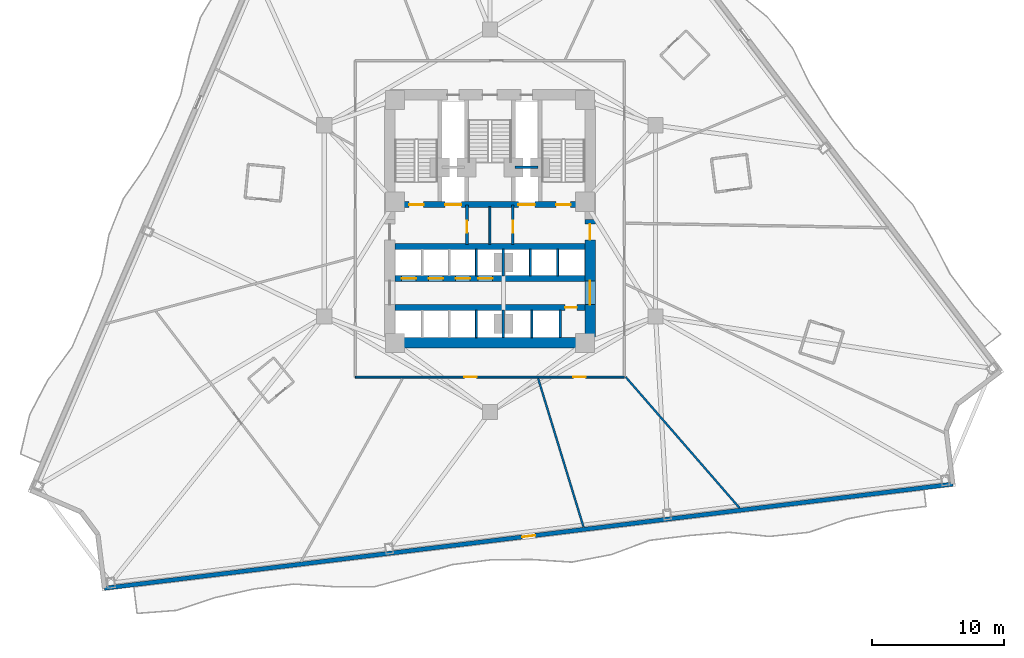
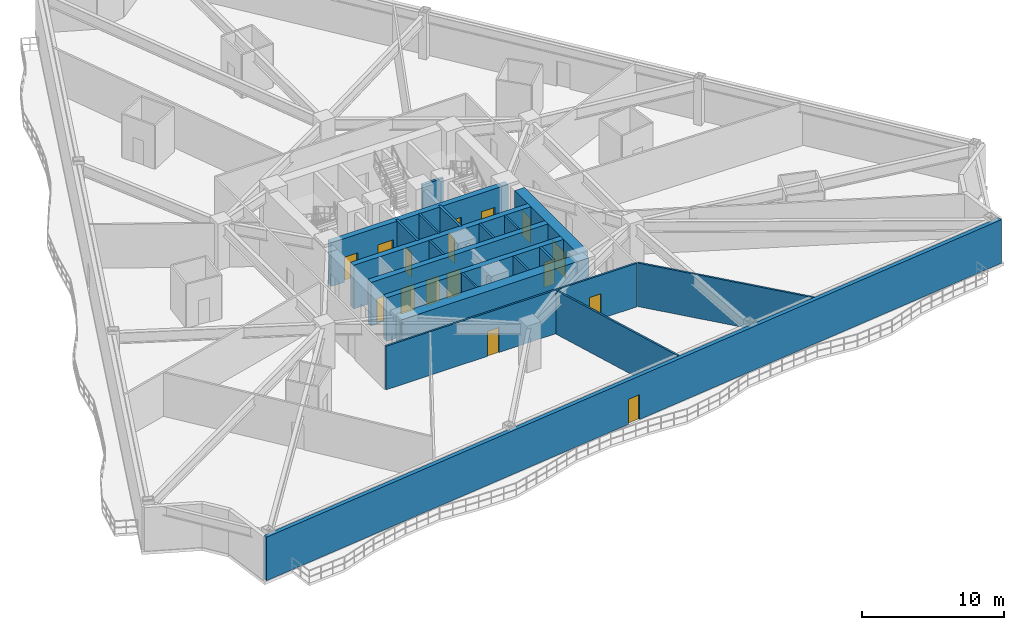
# One storey, part 4 of 13: 22 walls, 16 doors, 16 openings.
"""IFC4 building model written with IfcOpenShell, lengths in metres."""

from ifc_helpers import new_model, si_unit, direction, frame, frame_2d, origin, place, context, subcontext, project, spatial, rectangle, extrude, material, layer, layer_set, type_object, element, fill, save


model = new_model("IFC4")

# Units and contexts
model_context = context("Model", 3, precision=1e-05, world=origin(), true_north=direction((0.0, 1.0)))
body_context = subcontext(model_context, "Body", "Model", "MODEL_VIEW")
ifc_project = project(units=[si_unit("LENGTHUNIT", "METRE"), si_unit("AREAUNIT", "SQUARE_METRE"), si_unit("VOLUMEUNIT", "CUBIC_METRE"), si_unit("PLANEANGLEUNIT", "RADIAN"), si_unit("MASSUNIT", "GRAM", prefix="KILO")], contexts=[model_context])

# Site, building, storey
site_placement = place(None, origin())
site = spatial("IfcSite", under=ifc_project, at=site_placement, CompositionType="ELEMENT")
building_placement = place(site_placement, origin())
building = spatial("IfcBuilding", under=site, at=building_placement, Name="Apsidion Concourse Tower", CompositionType="ELEMENT")
storey_placement = place(building_placement, frame((0.0, 0.0, 67.0)))
storey = spatial("IfcBuildingStorey", under=building, at=storey_placement, Name="L14", CompositionType="ELEMENT", Elevation=67.0)

# Wall, opening, door
ifc_material_1 = material(Name="Precast concrete C40/50", Category="concrete")
ifc_layer_1 = layer(ifc_material_1, 0.320068359375)
ifc_layer_set_1 = layer_set([ifc_layer_1], Name="Precast concrete C40/50")
wall_type_1 = type_object("IfcWallType", Name="WL-EXT-320", PredefinedType="STANDARD", material=ifc_layer_set_1)
wall_1_placement = place(storey_placement, frame((35.0908203125, -19.961181640625, 0.0), z_axis=(0.0, 0.0, 1.0), x_axis=(-0.992546286146, -0.121868247946, 0.0)))
wall_1 = element("IfcWall", 1, at=wall_1_placement, inside=storey, type_object=wall_type_1, Name="L14 Precast Stone Facade Wall 05", PredefinedType="STANDARD", context=body_context, shape_type="SweptSolid", body=[
    extrude(rectangle(XDim=64.793212890625, YDim=0.320068359375, at=frame_2d((32.396484375, 0.0))), origin(), (0.0, 0.0, 1.0), 3.75),
])
opening_1_placement = place(wall_1_placement, frame((31.896728515625, 0.0, 0.0)))
opening_1 = element("IfcOpeningElement", 2, at=opening_1_placement, cuts=wall_1, Name="Opening D-T1R", PredefinedType="OPENING", context=body_context, shape_type="SweptSolid", body=[
    extrude(rectangle(XDim=1.0, YDim=2.14990234375, at=frame_2d((0.5, 1.074951171875))), frame((0.0, 0.169921875, 0.0), z_axis=(0.0, -1.0, 0.0), x_axis=(1.0, 0.0, 0.0)), (0.0, 0.0, 1.0), 0.340087890625),
])
ifc_material_2 = material(Name="Anodised aluminium EN AW-6063 T6", Category="aluminium")
door_type_1 = type_object("IfcDoorType", Name="DR-TER-1022R", OperationType="SINGLE_SWING_RIGHT", PredefinedType="DOOR", material=ifc_material_2)
door_1_placement = place(opening_1_placement, origin())
door_1 = element("IfcDoor", 3, at=door_1_placement, inside=storey, type_object=door_type_1, Name="L14 Balcony Access Door 2", OperationType="SINGLE_SWING_RIGHT", OverallHeight=2.14990234375, OverallWidth=1.0, PredefinedType="DOOR", context=body_context, shape_type="SweptSolid", body=[
    extrude(rectangle(XDim=1.0, YDim=2.14990234375, at=frame_2d((0.5, 1.074951171875))), frame((0.0, 0.02490234375, 0.0), z_axis=(0.0, -1.0, 0.0), x_axis=(1.0, 0.0, 0.0)), (0.0, 0.0, 1.0), 0.050048828125),
])
fill(opening_1, door_1)

# Walls
ifc_material_3 = material(Name="Gypsum plasterboard partition")
ifc_layer_2 = layer(ifc_material_3, 0.14990234375)
ifc_layer_set_2 = layer_set([ifc_layer_2], Name="Gypsum plasterboard partition")
wall_type_2 = type_object("IfcWallType", Name="WL-INT-PAR-150", PredefinedType="PARTITIONING", material=ifc_layer_set_2)
for number, where, z_axis, x_axis, name in (
    (4, (-1.02490234375, -4.179931640625, 0.0), (0.0, 0.0, 1.0), (0.0, 1.0, 0.0), "L14 Interior Partition WL-L14-B1DIV-3"),
    (5, (3.074951171875, -4.179931640625, 0.0), (0.0, 0.0, 1.0), (0.0, 1.0, 0.0), "L14 Interior Partition WL-L14-B3DIV-1"),
    (6, (5.125, -4.179931640625, 0.0), (0.0, 0.0, 1.0), (0.0, 1.0, 0.0), "L14 Interior Partition WL-L14-B3DIV-2"),
):
    element("IfcWall", number, at=place(storey_placement, frame(where, z_axis=z_axis, x_axis=x_axis)), inside=storey, type_object=wall_type_2, Name=name, PredefinedType="PARTITIONING", context=body_context, shape_type="SweptSolid", body=[
        extrude(rectangle(XDim=2.030029296875, YDim=0.14990234375, at=frame_2d((1.01513671875, 0.0))), origin(), (0.0, 0.0, 1.0), 3.75),
    ])
for number, where, z_axis, x_axis, name in (
    (7, (-1.02490234375, -8.85009765625, 0.0), (0.0, 0.0, 1.0), (0.0, 1.0, 0.0), "L14 Interior Partition WL-L14-B2DIV-3"),
    (8, (3.175048828125, -8.85009765625, 0.0), (0.0, 0.0, 1.0), (0.0, 1.0, 0.0), "L14 Interior Partition WL-L14-SHDIV-1"),
):
    element("IfcWall", number, at=place(storey_placement, frame(where, z_axis=z_axis, x_axis=x_axis)), inside=storey, type_object=wall_type_2, Name=name, PredefinedType="PARTITIONING", context=body_context, shape_type="SweptSolid", body=[
        extrude(rectangle(XDim=2.080078125, YDim=0.14990234375, at=frame_2d((1.0400390625, 0.0))), origin(), (0.0, 0.0, 1.0), 3.75),
    ])
wall_2_placement = place(storey_placement, frame((0.0, -1.780029296875, 0.0), z_axis=(0.0, 0.0, 1.0), x_axis=(0.0, 1.0, 0.0)))
element("IfcWall", 9, at=wall_2_placement, inside=storey, type_object=wall_type_2, Name="L14 Interior Partition WL-L14-K3V", PredefinedType="PARTITIONING", context=body_context, shape_type="SweptSolid", body=[
    extrude(rectangle(XDim=2.830078125, YDim=0.14990234375, at=frame_2d((1.4150390625, 0.0))), origin(), (0.0, 0.0, 1.0), 3.75),
])

# Wall, openings, doors
wall_3_placement = place(storey_placement, frame((10.199951171875, -11.85009765625, 0.0), z_axis=(0.0, 0.0, 1.0), x_axis=(-1.0, 0.0, 0.0)))
wall_3 = element("IfcWall", 10, at=wall_3_placement, inside=storey, type_object=wall_type_2, Name="L14 Interior Partition WL-L14-CORR-03", PredefinedType="PARTITIONING", context=body_context, shape_type="SweptSolid", body=[
    extrude(rectangle(XDim=20.39990234375, YDim=0.14990234375, at=frame_2d((10.199951171875, 0.0))), origin(), (0.0, 0.0, 1.0), 3.75),
])
opening_2_placement = place(wall_3_placement, frame((11.210205078125, 0.0, 0.0)))
opening_2 = element("IfcOpeningElement", 11, at=opening_2_placement, cuts=wall_3, Name="Opening D-01R", PredefinedType="OPENING", context=body_context, shape_type="SweptSolid", body=[
    extrude(rectangle(XDim=0.949951171875, YDim=2.14990234375, at=frame_2d((0.47509765625, 1.074951171875))), frame((0.0, 0.0849609375, 0.0), z_axis=(0.0, -1.0, 0.0), x_axis=(1.0, 0.0, 0.0)), (0.0, 0.0, 1.0), 0.169921875),
])
opening_3_placement = place(wall_3_placement, frame((2.927734375, 0.0, 0.0)))
opening_3 = element("IfcOpeningElement", 12, at=opening_3_placement, cuts=wall_3, Name="Opening D-01L", PredefinedType="OPENING", context=body_context, shape_type="SweptSolid", body=[
    extrude(rectangle(XDim=0.949951171875, YDim=2.14990234375, at=frame_2d((0.47509765625, 1.074951171875))), frame((0.0, 0.0849609375, 0.0), z_axis=(0.0, -1.0, 0.0), x_axis=(1.0, 0.0, 0.0)), (0.0, 0.0, 1.0), 0.169921875),
])
ifc_material_4 = material(Name="Brushed stainless steel 316", Category="steel")
door_type_2 = type_object("IfcDoorType", Name="DR-INT-D01L", OperationType="SINGLE_SWING_LEFT", PredefinedType="DOOR", material=ifc_material_4)
door_2_placement = place(opening_3_placement, origin())
door_2 = element("IfcDoor", 13, at=door_2_placement, inside=storey, type_object=door_type_2, Name="L14 Corridor Entry Door 03", OperationType="SINGLE_SWING_LEFT", OverallHeight=2.14990234375, OverallWidth=0.949951171875, PredefinedType="DOOR", context=body_context, shape_type="SweptSolid", body=[
    extrude(rectangle(XDim=0.949951171875, YDim=2.14990234375, at=frame_2d((0.47509765625, 1.074951171875))), frame((0.0, 0.02490234375, 0.0), z_axis=(0.0, -1.0, 0.0), x_axis=(1.0, 0.0, 0.0)), (0.0, 0.0, 1.0), 0.050048828125),
])
fill(opening_3, door_2)
door_type_3 = type_object("IfcDoorType", Name="DR-INT-D01R", OperationType="SINGLE_SWING_RIGHT", PredefinedType="DOOR", material=ifc_material_4)
door_3_placement = place(opening_2_placement, origin())
door_3 = element("IfcDoor", 14, at=door_3_placement, inside=storey, type_object=door_type_3, Name="L14 Corridor Entry Door 02", OperationType="SINGLE_SWING_RIGHT", OverallHeight=2.14990234375, OverallWidth=0.949951171875, PredefinedType="DOOR", context=body_context, shape_type="SweptSolid", body=[
    extrude(rectangle(XDim=0.949951171875, YDim=2.14990234375, at=frame_2d((0.47509765625, 1.074951171875))), frame((0.0, 0.02490234375, 0.0), z_axis=(0.0, -1.0, 0.0), x_axis=(1.0, 0.0, 0.0)), (0.0, 0.0, 1.0), 0.050048828125),
])
fill(opening_2, door_3)

# Walls
wall_4_placement = place(storey_placement, frame((3.655029296875, -11.955078125, 0.0), z_axis=(0.0, 0.0, 1.0), x_axis=(0.292374367587, -0.95630394184, 0.0)))
element("IfcWall", 15, at=wall_4_placement, inside=storey, type_object=wall_type_2, Name="L14 Interior Partition WL-L14-RAD-07-1", PredefinedType="PARTITIONING", context=body_context, shape_type="SweptSolid", body=[
    extrude(rectangle(XDim=11.781494140625, YDim=0.14990234375, at=frame_2d((5.890625, 0.0))), origin(), (0.0, 0.0, 1.0), 3.75),
])
wall_5_placement = place(storey_placement, frame((10.301025390625, -11.85009765625, 0.0), z_axis=(0.0, 0.0, 1.0), x_axis=(0.656069720385, -0.754700286202, 0.0)))
element("IfcWall", 16, at=wall_5_placement, inside=storey, type_object=wall_type_2, Name="L14 Interior Partition WL-L14-RAD-08-1", PredefinedType="PARTITIONING", context=body_context, shape_type="SweptSolid", body=[
    extrude(rectangle(XDim=13.143798828125, YDim=0.14990234375, at=frame_2d((6.57177734375, 0.0))), origin(), (0.0, 0.0, 1.0), 3.75),
])
ifc_layer_3 = layer(ifc_material_3, 0.179931640625)
ifc_layer_set_3 = layer_set([ifc_layer_3], Name="Gypsum plasterboard partition")
wall_type_3 = type_object("IfcWallType", Name="WL-INT-PAR-180", PredefinedType="PARTITIONING", material=ifc_layer_set_3)
wall_6_placement = place(storey_placement, frame((1.02490234375, -4.179931640625, 0.0), z_axis=(0.0, 0.0, 1.0), x_axis=(0.0, 1.0, 0.0)))
element("IfcWall", 17, at=wall_6_placement, inside=storey, type_object=wall_type_3, Name="L14 Interior Partition WL-L14-B1END", PredefinedType="PARTITIONING", context=body_context, shape_type="SweptSolid", body=[
    extrude(rectangle(XDim=2.030029296875, YDim=0.179931640625, at=frame_2d((1.01513671875, 0.0))), origin(), (0.0, 0.0, 1.0), 2.798095703125),
])
wall_7_placement = place(storey_placement, frame((1.02490234375, -8.85009765625, 0.0), z_axis=(0.0, 0.0, 1.0), x_axis=(0.0, 1.0, 0.0)))
element("IfcWall", 18, at=wall_7_placement, inside=storey, type_object=wall_type_3, Name="L14 Interior Partition WL-L14-B2END", PredefinedType="PARTITIONING", context=body_context, shape_type="SweptSolid", body=[
    extrude(rectangle(XDim=2.080078125, YDim=0.179931640625, at=frame_2d((1.0400390625, 0.0))), origin(), (0.0, 0.0, 1.0), 2.798095703125),
])
wall_8_placement = place(storey_placement, frame((5.324951171875, -8.85009765625, 0.0), z_axis=(0.0, 0.0, 1.0), x_axis=(0.0, 1.0, 0.0)))
element("IfcWall", 19, at=wall_8_placement, inside=storey, type_object=wall_type_3, Name="L14 Interior Partition WL-L14-SHDIV-2", PredefinedType="PARTITIONING", context=body_context, shape_type="SweptSolid", body=[
    extrude(rectangle(XDim=2.080078125, YDim=0.179931640625, at=frame_2d((1.0400390625, 0.0))), origin(), (0.0, 0.0, 1.0), 3.75),
])
ifc_layer_4 = layer(ifc_material_3, 0.199951171875)
ifc_layer_set_4 = layer_set([ifc_layer_4], Name="Gypsum plasterboard partition")
wall_type_4 = type_object("IfcWallType", Name="WL-INT-PAR-200", PredefinedType="PARTITIONING", material=ifc_layer_set_4)
wall_9_placement = place(storey_placement, frame((1.919921875, 4.050048828125, 0.0), z_axis=(0.0, 0.0, 1.0), x_axis=(1.0, 0.0, 0.0)))
element("IfcWall", 20, at=wall_9_placement, inside=storey, type_object=wall_type_4, Name="L14 Interior Partition WL-L14-FF2-N", PredefinedType="PARTITIONING", context=body_context, shape_type="SweptSolid", body=[
    extrude(rectangle(XDim=1.72998046875, YDim=0.199951171875, at=frame_2d((0.864990234375, 0.0))), origin(), (0.0, 0.0, 1.0), 3.75),
])

# Wall, opening, door
wall_10_placement = place(storey_placement, frame((-1.739990234375, -1.780029296875, 0.0), z_axis=(0.0, 0.0, 1.0), x_axis=(0.0, 1.0, 0.0)))
wall_10 = element("IfcWall", 21, at=wall_10_placement, inside=storey, type_object=wall_type_4, Name="L14 Interior Partition WL-L14-FF1-E", PredefinedType="PARTITIONING", context=body_context, shape_type="SweptSolid", body=[
    extrude(rectangle(XDim=2.97998046875, YDim=0.199951171875, at=frame_2d((1.489990234375, 0.0))), origin(), (0.0, 0.0, 1.0), 3.75),
])
opening_4_placement = place(wall_10_placement, frame((0.889892578125, 0.0, 0.0)))
opening_4 = element("IfcOpeningElement", 22, at=opening_4_placement, cuts=wall_10, Name="Opening D-05R", PredefinedType="OPENING", context=body_context, shape_type="SweptSolid", body=[
    extrude(rectangle(XDim=0.8798828125, YDim=2.14990234375, at=frame_2d((0.43994140625, 1.074951171875))), frame((0.0, 0.10986328125, 0.0), z_axis=(0.0, -1.0, 0.0), x_axis=(1.0, 0.0, 0.0)), (0.0, 0.0, 1.0), 0.219970703125),
])
door_type_4 = type_object("IfcDoorType", Name="DR-INT-D05R", OperationType="SINGLE_SWING_RIGHT", PredefinedType="DOOR", material=ifc_material_4)
door_4_placement = place(opening_4_placement, origin())
door_4 = element("IfcDoor", 23, at=door_4_placement, inside=storey, type_object=door_type_4, Name="L14 Core Pantry Door", OperationType="SINGLE_SWING_RIGHT", OverallHeight=2.14990234375, OverallWidth=0.8798828125, PredefinedType="DOOR", context=body_context, shape_type="SweptSolid", body=[
    extrude(rectangle(XDim=0.8798828125, YDim=2.14990234375, at=frame_2d((0.43994140625, 1.074951171875))), frame((0.0, 0.02490234375, 0.0), z_axis=(0.0, -1.0, 0.0), x_axis=(1.0, 0.0, 0.0)), (0.0, 0.0, 1.0), 0.050048828125),
])
fill(opening_4, door_4)

wall_11_placement = place(storey_placement, frame((1.739990234375, -1.780029296875, 0.0), z_axis=(0.0, 0.0, 1.0), x_axis=(0.0, 1.0, 0.0)))
wall_11 = element("IfcWall", 24, at=wall_11_placement, inside=storey, type_object=wall_type_4, Name="L14 Interior Partition WL-L14-FF2-W", PredefinedType="PARTITIONING", context=body_context, shape_type="SweptSolid", body=[
    extrude(rectangle(XDim=2.97998046875, YDim=0.199951171875, at=frame_2d((1.489990234375, 0.0))), origin(), (0.0, 0.0, 1.0), 3.75),
])
opening_5_placement = place(wall_11_placement, frame((0.889892578125, 0.0, 0.0)))
opening_5 = element("IfcOpeningElement", 25, at=opening_5_placement, cuts=wall_11, Name="Opening D-05L", PredefinedType="OPENING", context=body_context, shape_type="SweptSolid", body=[
    extrude(rectangle(XDim=0.8798828125, YDim=2.14990234375, at=frame_2d((0.43994140625, 1.074951171875))), frame((0.0, 0.10986328125, 0.0), z_axis=(0.0, -1.0, 0.0), x_axis=(1.0, 0.0, 0.0)), (0.0, 0.0, 1.0), 0.219970703125),
])
door_type_5 = type_object("IfcDoorType", Name="DR-INT-D05L", OperationType="SINGLE_SWING_LEFT", PredefinedType="DOOR", material=ifc_material_4)
door_5_placement = place(opening_5_placement, origin())
door_5 = element("IfcDoor", 26, at=door_5_placement, inside=storey, type_object=door_type_5, Name="L14 Core Electrical Door", OperationType="SINGLE_SWING_LEFT", OverallHeight=2.14990234375, OverallWidth=0.8798828125, PredefinedType="DOOR", context=body_context, shape_type="SweptSolid", body=[
    extrude(rectangle(XDim=0.8798828125, YDim=2.14990234375, at=frame_2d((0.43994140625, 1.074951171875))), frame((0.0, 0.02490234375, 0.0), z_axis=(0.0, -1.0, 0.0), x_axis=(1.0, 0.0, 0.0)), (0.0, 0.0, 1.0), 0.050048828125),
])
fill(opening_5, door_5)

# Wall, openings, doors
ifc_material_5 = material(Name="Concrete C60/75", Category="concrete")
ifc_layer_5 = layer(ifc_material_5, 0.449951171875)
ifc_layer_set_5 = layer_set([ifc_layer_5], Name="Concrete C60/75")
wall_type_5 = type_object("IfcWallType", Name="WL-SH-450", PredefinedType="SHEAR", material=ifc_layer_set_5)
wall_12_placement = place(storey_placement, frame((-7.199951171875, 1.22509765625, 0.0), z_axis=(0.0, 0.0, 1.0), x_axis=(1.0, 0.0, 0.0)))
wall_12 = element("IfcWall", 27, at=wall_12_placement, inside=storey, type_object=wall_type_5, Name="L14 Central Core Shear Wall M1", PredefinedType="SHEAR", context=body_context, shape_type="SweptSolid", body=[
    extrude(rectangle(XDim=14.39990234375, YDim=0.449951171875, at=frame_2d((7.199951171875, 0.0))), origin(), (0.0, 0.0, 1.0), 3.75),
])
opening_6_placement = place(wall_12_placement, frame((3.794921875, 0.0, 0.0)))
opening_6 = element("IfcOpeningElement", 28, at=opening_6_placement, cuts=wall_12, Name="Opening LD-FF", PredefinedType="OPENING", context=body_context, shape_type="SweptSolid", body=[
    extrude(rectangle(XDim=1.25, YDim=2.25, at=frame_2d((0.625, 1.125))), frame((0.0, 0.23486328125, 0.0), z_axis=(0.0, -1.0, 0.0), x_axis=(1.0, 0.0, 0.0)), (0.0, 0.0, 1.0), 0.469970703125),
])
opening_7_placement = place(wall_12_placement, frame((9.35498046875, 0.0, 0.0)))
opening_7 = element("IfcOpeningElement", 29, at=opening_7_placement, cuts=wall_12, Name="Opening LD-FF", PredefinedType="OPENING", context=body_context, shape_type="SweptSolid", body=[
    extrude(rectangle(XDim=1.25, YDim=2.25, at=frame_2d((0.625, 1.125))), frame((0.0, 0.23486328125, 0.0), z_axis=(0.0, -1.0, 0.0), x_axis=(1.0, 0.0, 0.0)), (0.0, 0.0, 1.0), 0.469970703125),
])
opening_8_placement = place(wall_12_placement, frame((1.074951171875, 0.0, 0.0)))
opening_8 = element("IfcOpeningElement", 30, at=opening_8_placement, cuts=wall_12, Name="Opening D-STL", PredefinedType="OPENING", context=body_context, shape_type="SweptSolid", body=[
    extrude(rectangle(XDim=1.10009765625, YDim=2.14990234375, at=frame_2d((0.550048828125, 1.074951171875))), frame((0.0, 0.23486328125, 0.0), z_axis=(0.0, -1.0, 0.0), x_axis=(1.0, 0.0, 0.0)), (0.0, 0.0, 1.0), 0.469970703125),
])
opening_9_placement = place(wall_12_placement, frame((12.22509765625, 0.0, 0.0)))
opening_9 = element("IfcOpeningElement", 31, at=opening_9_placement, cuts=wall_12, Name="Opening D-STR", PredefinedType="OPENING", context=body_context, shape_type="SweptSolid", body=[
    extrude(rectangle(XDim=1.10009765625, YDim=2.14990234375, at=frame_2d((0.550048828125, 1.074951171875))), frame((0.0, 0.23486328125, 0.0), z_axis=(0.0, -1.0, 0.0), x_axis=(1.0, 0.0, 0.0)), (0.0, 0.0, 1.0), 0.469970703125),
])
door_type_6 = type_object("IfcDoorType", Name="DR-INT-ST1L", OperationType="SINGLE_SWING_LEFT", PredefinedType="DOOR", material=ifc_material_4)
door_6_placement = place(opening_8_placement, origin())
door_6 = element("IfcDoor", 32, at=door_6_placement, inside=storey, type_object=door_type_6, Name="L14 Core Exit Stair ST1 Door", OperationType="SINGLE_SWING_LEFT", OverallHeight=2.14990234375, OverallWidth=1.10009765625, PredefinedType="DOOR", context=body_context, shape_type="SweptSolid", body=[
    extrude(rectangle(XDim=1.10009765625, YDim=2.14990234375, at=frame_2d((0.550048828125, 1.074951171875))), frame((0.0, 0.02490234375, 0.0), z_axis=(0.0, -1.0, 0.0), x_axis=(1.0, 0.0, 0.0)), (0.0, 0.0, 1.0), 0.050048828125),
])
fill(opening_8, door_6)
door_type_7 = type_object("IfcDoorType", Name="DR-INT-ST1R", OperationType="SINGLE_SWING_RIGHT", PredefinedType="DOOR", material=ifc_material_4)
door_7_placement = place(opening_9_placement, origin())
door_7 = element("IfcDoor", 33, at=door_7_placement, inside=storey, type_object=door_type_7, Name="L14 Core Exit Stair ST2 Door", OperationType="SINGLE_SWING_RIGHT", OverallHeight=2.14990234375, OverallWidth=1.10009765625, PredefinedType="DOOR", context=body_context, shape_type="SweptSolid", body=[
    extrude(rectangle(XDim=1.10009765625, YDim=2.14990234375, at=frame_2d((0.550048828125, 1.074951171875))), frame((0.0, 0.02490234375, 0.0), z_axis=(0.0, -1.0, 0.0), x_axis=(1.0, 0.0, 0.0)), (0.0, 0.0, 1.0), 0.050048828125),
])
fill(opening_9, door_7)
door_type_8 = type_object("IfcDoorType", Name="DR-LD-FSAE", OperationType="DOUBLE_DOOR_SLIDING", PredefinedType="DOOR", material=ifc_material_4)
door_8_placement = place(opening_6_placement, origin())
door_8 = element("IfcDoor", 34, at=door_8_placement, inside=storey, type_object=door_type_8, Name="L14 Lift Landing Door FF1", OperationType="DOUBLE_DOOR_SLIDING", OverallHeight=2.25, OverallWidth=1.25, PredefinedType="DOOR", context=body_context, shape_type="SweptSolid", body=[
    extrude(rectangle(XDim=1.25, YDim=2.25, at=frame_2d((0.625, 1.125))), frame((0.0, 0.02490234375, 0.0), z_axis=(0.0, -1.0, 0.0), x_axis=(1.0, 0.0, 0.0)), (0.0, 0.0, 1.0), 0.050048828125),
])
fill(opening_6, door_8)
door_9_placement = place(opening_7_placement, origin())
door_9 = element("IfcDoor", 35, at=door_9_placement, inside=storey, type_object=door_type_8, Name="L14 Lift Landing Door FF2", OperationType="DOUBLE_DOOR_SLIDING", OverallHeight=2.25, OverallWidth=1.25, PredefinedType="DOOR", context=body_context, shape_type="SweptSolid", body=[
    extrude(rectangle(XDim=1.25, YDim=2.25, at=frame_2d((0.625, 1.125))), frame((0.0, 0.02490234375, 0.0), z_axis=(0.0, -1.0, 0.0), x_axis=(1.0, 0.0, 0.0)), (0.0, 0.0, 1.0), 0.050048828125),
])
fill(opening_7, door_9)

# Wall
wall_13_placement = place(storey_placement, frame((-7.199951171875, -1.949951171875, 0.0), z_axis=(0.0, 0.0, 1.0), x_axis=(1.0, 0.0, 0.0)))
element("IfcWall", 36, at=wall_13_placement, inside=storey, type_object=wall_type_5, Name="L14 Central Core Shear Wall M2", PredefinedType="SHEAR", context=body_context, shape_type="SweptSolid", body=[
    extrude(rectangle(XDim=14.39990234375, YDim=0.449951171875, at=frame_2d((7.199951171875, 0.0))), origin(), (0.0, 0.0, 1.0), 3.75),
])

# Wall, openings, doors
wall_14_placement = place(storey_placement, frame((-7.199951171875, -4.3798828125, 0.0), z_axis=(0.0, 0.0, 1.0), x_axis=(1.0, 0.0, 0.0)))
wall_14 = element("IfcWall", 37, at=wall_14_placement, inside=storey, type_object=wall_type_5, Name="L14 Central Core Shear Wall LA", PredefinedType="SHEAR", context=body_context, shape_type="SweptSolid", body=[
    extrude(rectangle(XDim=14.39990234375, YDim=0.449951171875, at=frame_2d((7.199951171875, 0.0))), origin(), (0.0, 0.0, 1.0), 3.75),
])
opening_10_placement = place(wall_14_placement, frame((0.5, 0.0, 0.0)))
opening_10 = element("IfcOpeningElement", 38, at=opening_10_placement, cuts=wall_14, Name="Opening LD-P1", PredefinedType="OPENING", context=body_context, shape_type="SweptSolid", body=[
    extrude(rectangle(XDim=1.10009765625, YDim=2.199951171875, at=frame_2d((0.550048828125, 1.10009765625))), frame((0.0, 0.23486328125, 0.0), z_axis=(0.0, -1.0, 0.0), x_axis=(1.0, 0.0, 0.0)), (0.0, 0.0, 1.0), 0.469970703125),
])
opening_11_placement = place(wall_14_placement, frame((2.550048828125, 0.0, 0.0)))
opening_11 = element("IfcOpeningElement", 39, at=opening_11_placement, cuts=wall_14, Name="Opening LD-P1", PredefinedType="OPENING", context=body_context, shape_type="SweptSolid", body=[
    extrude(rectangle(XDim=1.10009765625, YDim=2.199951171875, at=frame_2d((0.550048828125, 1.10009765625))), frame((0.0, 0.23486328125, 0.0), z_axis=(0.0, -1.0, 0.0), x_axis=(1.0, 0.0, 0.0)), (0.0, 0.0, 1.0), 0.469970703125),
])
opening_12_placement = place(wall_14_placement, frame((4.60009765625, 0.0, 0.0)))
opening_12 = element("IfcOpeningElement", 40, at=opening_12_placement, cuts=wall_14, Name="Opening LD-P1", PredefinedType="OPENING", context=body_context, shape_type="SweptSolid", body=[
    extrude(rectangle(XDim=1.10009765625, YDim=2.199951171875, at=frame_2d((0.550048828125, 1.10009765625))), frame((0.0, 0.23486328125, 0.0), z_axis=(0.0, -1.0, 0.0), x_axis=(1.0, 0.0, 0.0)), (0.0, 0.0, 1.0), 0.469970703125),
])
opening_13_placement = place(wall_14_placement, frame((6.300048828125, 0.0, 0.0)))
opening_13 = element("IfcOpeningElement", 41, at=opening_13_placement, cuts=wall_14, Name="Opening LD-P1", PredefinedType="OPENING", context=body_context, shape_type="SweptSolid", body=[
    extrude(rectangle(XDim=1.10009765625, YDim=2.199951171875, at=frame_2d((0.550048828125, 1.10009765625))), frame((0.0, 0.23486328125, 0.0), z_axis=(0.0, -1.0, 0.0), x_axis=(1.0, 0.0, 0.0)), (0.0, 0.0, 1.0), 0.469970703125),
])
door_type_9 = type_object("IfcDoorType", Name="DR-LD-PASS", OperationType="DOUBLE_DOOR_SLIDING", PredefinedType="DOOR", material=ifc_material_4)
door_10_placement = place(opening_10_placement, origin())
door_10 = element("IfcDoor", 42, at=door_10_placement, inside=storey, type_object=door_type_9, Name="L14 Lift Landing Door P1", OperationType="DOUBLE_DOOR_SLIDING", OverallHeight=2.199951171875, OverallWidth=1.10009765625, PredefinedType="DOOR", context=body_context, shape_type="SweptSolid", body=[
    extrude(rectangle(XDim=1.10009765625, YDim=2.199951171875, at=frame_2d((0.550048828125, 1.10009765625))), frame((0.0, 0.02490234375, 0.0), z_axis=(0.0, -1.0, 0.0), x_axis=(1.0, 0.0, 0.0)), (0.0, 0.0, 1.0), 0.050048828125),
])
fill(opening_10, door_10)
door_11_placement = place(opening_11_placement, origin())
door_11 = element("IfcDoor", 43, at=door_11_placement, inside=storey, type_object=door_type_9, Name="L14 Lift Landing Door P2", OperationType="DOUBLE_DOOR_SLIDING", OverallHeight=2.199951171875, OverallWidth=1.10009765625, PredefinedType="DOOR", context=body_context, shape_type="SweptSolid", body=[
    extrude(rectangle(XDim=1.10009765625, YDim=2.199951171875, at=frame_2d((0.550048828125, 1.10009765625))), frame((0.0, 0.02490234375, 0.0), z_axis=(0.0, -1.0, 0.0), x_axis=(1.0, 0.0, 0.0)), (0.0, 0.0, 1.0), 0.050048828125),
])
fill(opening_11, door_11)
door_12_placement = place(opening_12_placement, origin())
door_12 = element("IfcDoor", 44, at=door_12_placement, inside=storey, type_object=door_type_9, Name="L14 Lift Landing Door P3", OperationType="DOUBLE_DOOR_SLIDING", OverallHeight=2.199951171875, OverallWidth=1.10009765625, PredefinedType="DOOR", context=body_context, shape_type="SweptSolid", body=[
    extrude(rectangle(XDim=1.10009765625, YDim=2.199951171875, at=frame_2d((0.550048828125, 1.10009765625))), frame((0.0, 0.02490234375, 0.0), z_axis=(0.0, -1.0, 0.0), x_axis=(1.0, 0.0, 0.0)), (0.0, 0.0, 1.0), 0.050048828125),
])
fill(opening_12, door_12)
door_13_placement = place(opening_13_placement, origin())
door_13 = element("IfcDoor", 45, at=door_13_placement, inside=storey, type_object=door_type_9, Name="L14 Lift Landing Door P4", OperationType="DOUBLE_DOOR_SLIDING", OverallHeight=2.199951171875, OverallWidth=1.10009765625, PredefinedType="DOOR", context=body_context, shape_type="SweptSolid", body=[
    extrude(rectangle(XDim=1.10009765625, YDim=2.199951171875, at=frame_2d((0.550048828125, 1.10009765625))), frame((0.0, 0.02490234375, 0.0), z_axis=(0.0, -1.0, 0.0), x_axis=(1.0, 0.0, 0.0)), (0.0, 0.0, 1.0), 0.050048828125),
])
fill(opening_13, door_13)

# Wall, opening, door
wall_15_placement = place(storey_placement, frame((-7.199951171875, -6.570068359375, 0.0), z_axis=(0.0, 0.0, 1.0), x_axis=(1.0, 0.0, 0.0)))
wall_15 = element("IfcWall", 46, at=wall_15_placement, inside=storey, type_object=wall_type_5, Name="L14 Central Core Shear Wall LB", PredefinedType="SHEAR", context=body_context, shape_type="SweptSolid", body=[
    extrude(rectangle(XDim=14.39990234375, YDim=0.449951171875, at=frame_2d((7.199951171875, 0.0))), origin(), (0.0, 0.0, 1.0), 3.75),
])
opening_14_placement = place(wall_15_placement, frame((12.909912109375, 0.0, 0.0)))
opening_14 = element("IfcOpeningElement", 47, at=opening_14_placement, cuts=wall_15, Name="Opening D-05L", PredefinedType="OPENING", context=body_context, shape_type="SweptSolid", body=[
    extrude(rectangle(XDim=0.8798828125, YDim=2.14990234375, at=frame_2d((0.43994140625, 1.074951171875))), frame((0.0, 0.23486328125, 0.0), z_axis=(0.0, -1.0, 0.0), x_axis=(1.0, 0.0, 0.0)), (0.0, 0.0, 1.0), 0.469970703125),
])
door_14_placement = place(opening_14_placement, origin())
door_14 = element("IfcDoor", 48, at=door_14_placement, inside=storey, type_object=door_type_5, Name="L14 Cleaners Store Door", OperationType="SINGLE_SWING_LEFT", OverallHeight=2.14990234375, OverallWidth=0.8798828125, PredefinedType="DOOR", context=body_context, shape_type="SweptSolid", body=[
    extrude(rectangle(XDim=0.8798828125, YDim=2.14990234375, at=frame_2d((0.43994140625, 1.074951171875))), frame((0.0, 0.02490234375, 0.0), z_axis=(0.0, -1.0, 0.0), x_axis=(1.0, 0.0, 0.0)), (0.0, 0.0, 1.0), 0.050048828125),
])
fill(opening_14, door_14)

# Wall, openings, doors
ifc_layer_6 = layer(ifc_material_5, 0.800048828125)
ifc_layer_set_6 = layer_set([ifc_layer_6], Name="Concrete C60/75")
wall_type_6 = type_object("IfcWallType", Name="WL-SH-800", PredefinedType="SHEAR", material=ifc_layer_set_6)
wall_16_placement = place(storey_placement, frame((7.60009765625, -8.85009765625, 0.0), z_axis=(0.0, 0.0, 1.0), x_axis=(0.0, 1.0, 0.0)))
wall_16 = element("IfcWall", 49, at=wall_16_placement, inside=storey, type_object=wall_type_6, Name="L14 Central Core Shear Wall ES", PredefinedType="SHEAR", context=body_context, shape_type="SweptSolid", body=[
    extrude(rectangle(XDim=8.9501953125, YDim=0.800048828125, at=frame_2d((4.47509765625, 0.0))), origin(), (0.0, 0.0, 1.0), 3.75),
])
opening_15_placement = place(wall_16_placement, frame((2.489990234375, 0.0, 0.0)))
opening_15 = element("IfcOpeningElement", 50, at=opening_15_placement, cuts=wall_16, Name="Opening D-06D", PredefinedType="OPENING", context=body_context, shape_type="SweptSolid", body=[
    extrude(rectangle(XDim=1.800048828125, YDim=2.199951171875, at=frame_2d((0.89990234375, 1.10009765625))), frame((0.0, 0.41015625, 0.0), z_axis=(0.0, -1.0, 0.0), x_axis=(1.0, 0.0, 0.0)), (0.0, 0.0, 1.0), 0.820068359375),
])
opening_16_placement = place(wall_16_placement, frame((7.39990234375, 0.0, 0.0)))
opening_16 = element("IfcOpeningElement", 51, at=opening_16_placement, cuts=wall_16, Name="Opening D-FFR", PredefinedType="OPENING", context=body_context, shape_type="SweptSolid", body=[
    extrude(rectangle(XDim=1.199951171875, YDim=2.14990234375, at=frame_2d((0.60009765625, 1.074951171875))), frame((0.0, 0.41015625, 0.0), z_axis=(0.0, -1.0, 0.0), x_axis=(1.0, 0.0, 0.0)), (0.0, 0.0, 1.0), 0.820068359375),
])
door_type_10 = type_object("IfcDoorType", Name="DR-INT-D06D", OperationType="DOUBLE_DOOR_SINGLE_SWING", PredefinedType="DOOR", material=ifc_material_4)
door_15_placement = place(opening_15_placement, origin())
door_15 = element("IfcDoor", 52, at=door_15_placement, inside=storey, type_object=door_type_10, Name="L14 Passenger Lift Lobby ES Portal Door", OperationType="DOUBLE_DOOR_SINGLE_SWING", OverallHeight=2.199951171875, OverallWidth=1.800048828125, PredefinedType="DOOR", context=body_context, shape_type="SweptSolid", body=[
    extrude(rectangle(XDim=1.800048828125, YDim=2.199951171875, at=frame_2d((0.89990234375, 1.10009765625))), frame((0.0, 0.02490234375, 0.0), z_axis=(0.0, -1.0, 0.0), x_axis=(1.0, 0.0, 0.0)), (0.0, 0.0, 1.0), 0.050048828125),
])
fill(opening_15, door_15)
door_type_11 = type_object("IfcDoorType", Name="DR-INT-FFR", OperationType="SINGLE_SWING_RIGHT", PredefinedType="DOOR", material=ifc_material_4)
door_16_placement = place(opening_16_placement, origin())
door_16 = element("IfcDoor", 53, at=door_16_placement, inside=storey, type_object=door_type_11, Name="L14 Firefighting Lift Lobby FF2 Door", OperationType="SINGLE_SWING_RIGHT", OverallHeight=2.14990234375, OverallWidth=1.199951171875, PredefinedType="DOOR", context=body_context, shape_type="SweptSolid", body=[
    extrude(rectangle(XDim=1.199951171875, YDim=2.14990234375, at=frame_2d((0.60009765625, 1.074951171875))), frame((0.0, 0.02490234375, 0.0), z_axis=(0.0, -1.0, 0.0), x_axis=(1.0, 0.0, 0.0)), (0.0, 0.0, 1.0), 0.050048828125),
])
fill(opening_16, door_16)

# Wall
wall_17_placement = place(storey_placement, frame((-7.60009765625, -9.25, 0.0), z_axis=(0.0, 0.0, 1.0), x_axis=(1.0, 0.0, 0.0)))
element("IfcWall", 54, at=wall_17_placement, inside=storey, type_object=wall_type_6, Name="L14 Central Core Shear Wall S", PredefinedType="SHEAR", context=body_context, shape_type="SweptSolid", body=[
    extrude(rectangle(XDim=15.2001953125, YDim=0.800048828125, at=frame_2d((7.60009765625, 0.0))), origin(), (0.0, 0.0, 1.0), 3.75),
])

save(model, "model.ifc")
